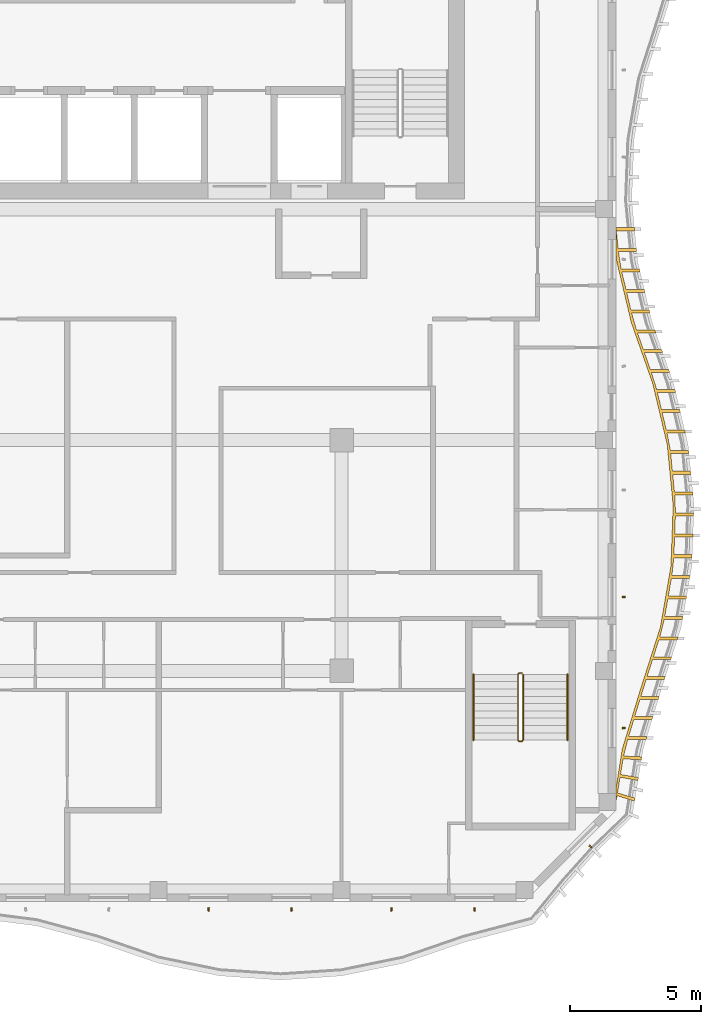
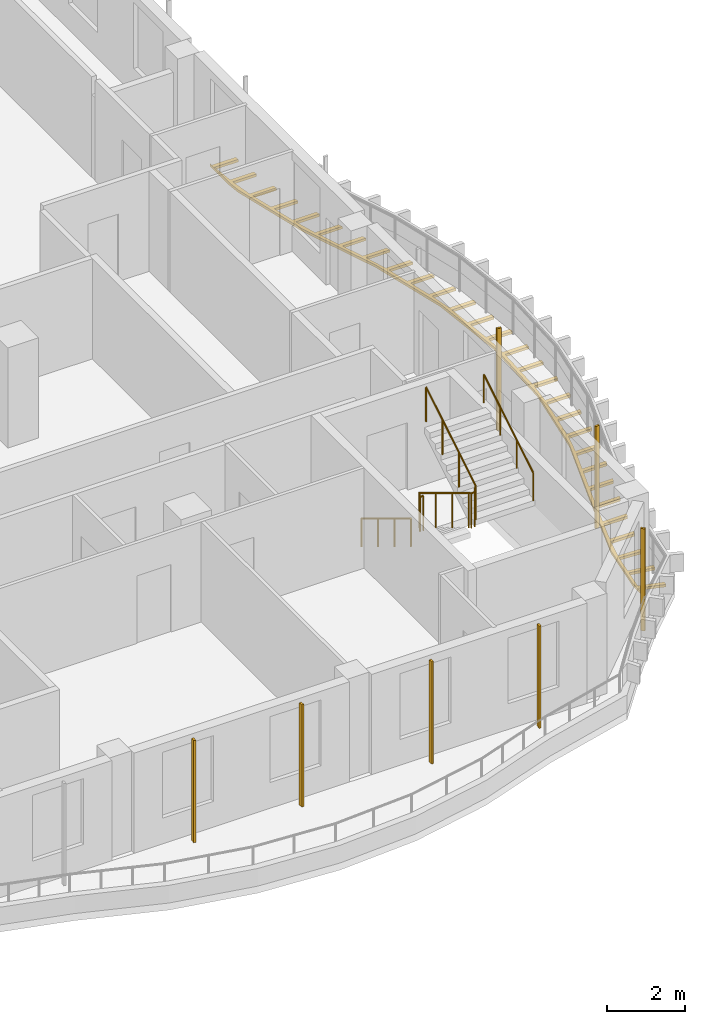
# One storey, part 15 of 18: 8 shading devices, 3 railings.
"""IFC4 building model written with IfcOpenShell, lengths in metres."""

from ifc_helpers import new_model, si_unit, direction, frame, origin, origin_2d, place, context, subcontext, project, spatial, polyline, rectangle, circle, outline, extrude, source, transform, mapped, material, layer, layer_set, material_profile, profile_set, type_object, element, save


model = new_model("IFC4")

# Units and contexts
model_context = context("Model", 3, precision=1e-05, world=origin(), true_north=direction((0.0, 1.0)))
body_context = subcontext(model_context, "Body", "Model", "MODEL_VIEW")
ifc_project = project(units=[si_unit("LENGTHUNIT", "METRE"), si_unit("AREAUNIT", "SQUARE_METRE"), si_unit("VOLUMEUNIT", "CUBIC_METRE"), si_unit("PLANEANGLEUNIT", "RADIAN"), si_unit("MASSUNIT", "GRAM", prefix="KILO")], contexts=[model_context])

# Site, building, storey
site_placement = place(None, origin())
site = spatial("IfcSite", under=ifc_project, at=site_placement, CompositionType="ELEMENT")
building_placement = place(site_placement, origin())
building = spatial("IfcBuilding", under=site, at=building_placement, Name="Kilnfold Tower and Market Hall", CompositionType="ELEMENT")
storey_placement = place(building_placement, frame((0.0, 0.0, 270.39990234375)))
storey = spatial("IfcBuildingStorey", under=building, at=storey_placement, Name="L66", CompositionType="ELEMENT", Elevation=270.39990234375)

# Railings
ifc_material_1 = material(Name="Stainless steel 316", Category="steel")
railing_type_1 = type_object("IfcRailingType", Name="CORE STAIR GUARD 1100", PredefinedType="GUARDRAIL", material=ifc_material_1)
railing_1_placement = place(storey_placement, frame((19.89990234375, -9.75, 0.0)))
element("IfcRailing", 1, at=railing_1_placement, inside=storey, type_object=railing_type_1, Name="L66 ST4 stair guard 1", PredefinedType="GUARDRAIL", context=body_context, shape_type="SweptSolid", body=[
    extrude(circle(Radius=0.02392578125, at=origin_2d()), frame((0.0, 0.0, 1.076171875), z_axis=(-1.0, 0.0, 0.0), x_axis=(0.0, -1.0, 0.0)), (0.0, 0.0, 1.0), 0.099853515625),
    extrude(circle(Radius=0.02392578125, at=origin_2d()), frame((-0.099853515625, 0.0, 1.076171875), z_axis=(-0.271562723297, -0.271562723297, 0.923313259209), x_axis=(0.707106781187, -0.707106781187, 0.0)), (0.0, 0.0, 1.0), 0.184326171875),
    extrude(circle(Radius=0.02392578125, at=origin_2d()), frame((-0.14990234375, -0.050048828125, 1.24609375), z_axis=(0.0, -0.85478489116, 0.518982456201), x_axis=(1.0, 0.0, 0.0)), (0.0, 0.0, 1.0), 2.9482421875),
    extrude(circle(Radius=0.02392578125, at=origin_2d()), frame((-0.14990234375, -2.570068359375, 2.7763671875), z_axis=(0.707106781187, -0.707106781187, 0.0), x_axis=(0.707106781187, 0.707106781187, 0.0)), (0.0, 0.0, 1.0), 0.07080078125),
    extrude(circle(Radius=0.02392578125, at=origin_2d()), frame((-0.099853515625, -2.6201171875, 2.7763671875), z_axis=(1.0, 0.0, 0.0), x_axis=(0.0, 1.0, 0.0)), (0.0, 0.0, 1.0), 0.099853515625),
    extrude(circle(Radius=0.02392578125, at=origin_2d()), frame((0.0, -2.6201171875, 2.7763671875), z_axis=(0.271895245746, 0.271895245746, 0.923117517265), x_axis=(-0.707106781187, 0.707106781187, 0.0)), (0.0, 0.0, 1.0), 0.18408203125),
    extrude(circle(Radius=0.02392578125, at=origin_2d()), frame((0.050048828125, -2.570068359375, 2.9462890625), z_axis=(0.0, 0.85478489116, 0.518982456201), x_axis=(-1.0, 0.0, 0.0)), (0.0, 0.0, 1.0), 2.9482421875),
    extrude(circle(Radius=0.02099609375, at=origin_2d()), origin(), (0.0, 0.0, 1.0), 1.052001953125),
    extrude(circle(Radius=0.02099609375, at=origin_2d()), frame((-0.099853515625, 0.0, 0.0)), (0.0, 0.0, 1.0), 1.052001953125),
    extrude(circle(Radius=0.02099609375, at=origin_2d()), frame((-0.14990234375, -0.050048828125, 0.170166015625)), (0.0, 0.0, 1.0), 1.052001953125),
    extrude(circle(Radius=0.02099609375, at=origin_2d()), frame((-0.14990234375, -0.89013671875, 0.68017578125)), (0.0, 0.0, 1.0), 1.052001953125),
    extrude(circle(Radius=0.02099609375, at=origin_2d()), frame((-0.14990234375, -1.72998046875, 1.190185546875)), (0.0, 0.0, 1.0), 1.052001953125),
    extrude(circle(Radius=0.02099609375, at=origin_2d()), frame((-0.14990234375, -2.570068359375, 1.7001953125)), (0.0, 0.0, 1.0), 1.052001953125),
    extrude(circle(Radius=0.02099609375, at=origin_2d()), frame((-0.099853515625, -2.6201171875, 1.7001953125)), (0.0, 0.0, 1.0), 1.052001953125),
    extrude(circle(Radius=0.02099609375, at=origin_2d()), frame((0.0, -2.6201171875, 1.7001953125)), (0.0, 0.0, 1.0), 1.052001953125),
    extrude(circle(Radius=0.02099609375, at=origin_2d()), frame((0.050048828125, -2.570068359375, 1.8701171875)), (0.0, 0.0, 1.0), 1.052001953125),
    extrude(circle(Radius=0.02099609375, at=origin_2d()), frame((0.050048828125, -1.72998046875, 2.380126953125)), (0.0, 0.0, 1.0), 1.052001953125),
    extrude(circle(Radius=0.02099609375, at=origin_2d()), frame((0.050048828125, -0.89013671875, 2.89013671875)), (0.0, 0.0, 1.0), 1.052001953125),
    extrude(circle(Radius=0.02099609375, at=origin_2d()), frame((0.050048828125, -0.050048828125, 3.400146484375)), (0.0, 0.0, 1.0), 1.052001953125),
])
ifc_material_2 = material(Name="Stainless steel 316", Category="steel")
railing_type_2 = type_object("IfcRailingType", Name="CORE STAIR HANDRAIL 900", PredefinedType="HANDRAIL", material=ifc_material_2)
railing_2_placement = place(storey_placement, frame((18.050048828125, -9.800048828125, 0.170166015625)))
element("IfcRailing", 2, at=railing_2_placement, inside=storey, type_object=railing_type_2, Name="L66 ST4 stair handrail 1", PredefinedType="HANDRAIL", context=body_context, shape_type="SweptSolid", body=[
    extrude(circle(Radius=0.02392578125, at=origin_2d()), frame((0.0, 0.0, 0.8759765625), z_axis=(0.0, -0.85478489116, 0.518982456201), x_axis=(1.0, 0.0, 0.0)), (0.0, 0.0, 1.0), 2.9482421875),
    extrude(circle(Radius=0.02099609375, at=origin_2d()), origin(), (0.0, 0.0, 1.0), 0.851806640625),
    extrude(circle(Radius=0.02099609375, at=origin_2d()), frame((0.0, -0.840087890625, 0.510009765625)), (0.0, 0.0, 1.0), 0.851806640625),
    extrude(circle(Radius=0.02099609375, at=origin_2d()), frame((0.0, -1.679931640625, 1.02001953125)), (0.0, 0.0, 1.0), 0.851806640625),
    extrude(circle(Radius=0.02099609375, at=origin_2d()), frame((0.0, -2.52001953125, 1.530029296875)), (0.0, 0.0, 1.0), 0.851806640625),
])
railing_3_placement = place(storey_placement, frame((21.64990234375, -12.320068359375, 1.8701171875)))
element("IfcRailing", 3, at=railing_3_placement, inside=storey, type_object=railing_type_2, Name="L66 ST4 stair handrail 2", PredefinedType="HANDRAIL", context=body_context, shape_type="SweptSolid", body=[
    extrude(circle(Radius=0.02392578125, at=origin_2d()), frame((0.0, 0.0, 0.8759765625), z_axis=(0.0, 0.85478489116, 0.518982456201), x_axis=(-1.0, 0.0, 0.0)), (0.0, 0.0, 1.0), 2.9482421875),
    extrude(circle(Radius=0.02099609375, at=origin_2d()), origin(), (0.0, 0.0, 1.0), 0.851806640625),
    extrude(circle(Radius=0.02099609375, at=origin_2d()), frame((0.0, 0.840087890625, 0.510009765625)), (0.0, 0.0, 1.0), 0.851806640625),
    extrude(circle(Radius=0.02099609375, at=origin_2d()), frame((0.0, 1.679931640625, 1.02001953125)), (0.0, 0.0, 1.0), 0.851806640625),
    extrude(circle(Radius=0.02099609375, at=origin_2d()), frame((0.0, 2.52001953125, 1.530029296875)), (0.0, 0.0, 1.0), 0.851806640625),
])

# Shading devices
ifc_material_3 = material(Name="Terracotta", Category="masonry")
ifc_material_profile = material_profile(ifc_material_3, rectangle(XDim=0.06005859375, YDim=0.1201171875, at=origin_2d()), Name="BAG 60x120")
ifc_profile_set = profile_set([ifc_material_profile], Name="Terracotta")
shading_device_type_1 = type_object("IfcShadingDeviceType", Name="BAGUETTE", PredefinedType="USERDEFINED", material=ifc_profile_set)
shared_shape_1 = source(origin(), body_context, "Body", "SweptSolid", [
    extrude(rectangle(XDim=0.06005859375, YDim=0.1201171875, at=origin_2d()), origin(), (0.0, 0.0, 1.0), 3.18017578125),
])
for number, where, z_axis, x_axis, name in (
    (4, (7.91259765625, -18.800048828125, 0.0), (0.0, 0.0, 1.0), (0.996669344819, -0.081548863252, 0.0), "Terracotta baguette L66 S"),
    (5, (11.08740234375, -18.800048828125, 0.0), (0.0, 0.0, 1.0), (0.994983719701, 0.100036980811, 0.0), "Terracotta baguette L66 S"),
    (6, (14.91259765625, -18.800048828125, 0.0), (0.0, 0.0, 1.0), (0.996669344819, 0.081548863252, 0.0), "Terracotta baguette L66 S"),
    (7, (18.08740234375, -18.800048828125, 0.0), (0.0, 0.0, 1.0), (0.994983719701, -0.100036980811, 0.0), "Terracotta baguette L66 S"),
    (8, (22.52978515625, -16.394287109375, 0.0), (0.0, 0.0, 1.0), (0.708267147249, 0.705944507824, 0.0), "Terracotta baguette L66 SE"),
    (9, (23.800048828125, -11.856689453125, 0.0), (0.0, 0.0, 1.0), (-0.116643002497, 0.993173907213, 0.0), "Terracotta baguette L66 E"),
    (10, (23.800048828125, -6.841796875, 0.0), (0.0, 0.0, 1.0), (0.132479556578, 0.991185737937, 0.0), "Terracotta baguette L66 E"),
):
    element("IfcShadingDevice", number, at=place(storey_placement, frame(where, z_axis=z_axis, x_axis=x_axis)), inside=storey, type_object=shading_device_type_1, Name=name, ObjectType="BAGUETTE", PredefinedType="USERDEFINED", context=body_context, shape_type="MappedRepresentation", body=[
        mapped(shared_shape_1, transform((0.0, 0.0, 0.0))),
    ])
ifc_material_4 = material(Name="Bronze anodised aluminium", Category="aluminium")
ifc_layer = layer(ifc_material_4, 0.080078125)
ifc_layer_set = layer_set([ifc_layer], Name="Bronze anodised aluminium")
shading_device_type_2 = type_object("IfcShadingDeviceType", Name="BRONZE SLAT SOFFIT 80", PredefinedType="USERDEFINED", material=ifc_layer_set)
shared_shape_2 = source(origin(), body_context, "Body", "SweptSolid", [
    extrude(outline(polyline([(23.7421875, -12.666748046875), (24.45361328125, -10.333251953125), (25.200927734375, -8.0), (25.606201171875, -5.666748046875), (25.69189453125, -3.333251953125), (25.463623046875, -1.0), (24.90771484375, 1.333251953125), (24.088134765625, 3.666748046875), (23.5341796875, 6.0), (23.5, 6.352294921875), (23.5, 7.3818359375), (23.5087890625, 7.29150390625), (24.208740234375, 7.29150390625), (24.220458984375, 7.172119140625), (23.5205078125, 7.172119140625), (23.586181640625, 6.4951171875), (24.2861328125, 6.4951171875), (24.297607421875, 6.375732421875), (23.59765625, 6.375732421875), (23.7041015625, 5.705810546875), (24.404052734375, 5.705810546875), (24.431884765625, 5.589111328125), (23.731689453125, 5.589111328125), (23.888916015625, 4.92724609375), (24.5888671875, 4.92724609375), (24.61669921875, 4.810546875), (23.91650390625, 4.810546875), (24.073486328125, 4.14892578125), (24.773681640625, 4.14892578125), (24.80126953125, 4.0322265625), (24.101318359375, 4.0322265625), (24.2890625, 3.379638671875), (24.989013671875, 3.379638671875), (25.02880859375, 3.266357421875), (24.32861328125, 3.266357421875), (24.55419921875, 2.624755859375), (25.254150390625, 2.624755859375), (25.2939453125, 2.51171875), (24.593994140625, 2.51171875), (24.8193359375, 1.8701171875), (25.519287109375, 1.8701171875), (25.55908203125, 1.7568359375), (24.85888671875, 1.7568359375), (25.061279296875, 1.1083984375), (25.761474609375, 1.1083984375), (25.789306640625, 0.99169921875), (25.089111328125, 0.99169921875), (25.24658203125, 0.330078125), (25.94677734375, 0.330078125), (25.974609375, 0.21337890625), (25.2744140625, 0.21337890625), (25.43212890625, -0.447998046875), (26.132080078125, -0.447998046875), (26.159912109375, -0.564697265625), (25.4599609375, -0.564697265625), (25.586181640625, -1.2314453125), (26.286376953125, -1.2314453125), (26.2978515625, -1.350830078125), (25.597900390625, -1.350830078125), (25.664306640625, -2.027587890625), (26.3642578125, -2.027587890625), (26.3759765625, -2.147216796875), (25.67578125, -2.147216796875), (25.7421875, -2.82373046875), (26.442138671875, -2.82373046875), (26.453857421875, -2.943359375), (25.75390625, -2.943359375), (25.781494140625, -3.62109375), (26.4814453125, -3.62109375), (26.47705078125, -3.7412109375), (25.777099609375, -3.7412109375), (25.751953125, -4.420654296875), (26.451904296875, -4.420654296875), (26.447509765625, -4.54052734375), (25.74755859375, -4.54052734375), (25.722412109375, -5.22021484375), (26.422607421875, -5.22021484375), (26.418212890625, -5.340087890625), (25.718017578125, -5.340087890625), (25.645751953125, -6.0146484375), (26.345703125, -6.0146484375), (26.3251953125, -6.1328125), (25.625, -6.1328125), (25.5087890625, -6.802734375), (26.208740234375, -6.802734375), (26.20751953125, -6.810791015625), (26.188232421875, -6.9208984375), (25.48828125, -6.9208984375), (25.371826171875, -7.591064453125), (26.072021484375, -7.591064453125), (26.051513671875, -7.709228515625), (25.351318359375, -7.709228515625), (25.18359375, -8.36669921875), (25.883544921875, -8.36669921875), (25.846923828125, -8.480712890625), (25.14697265625, -8.480712890625), (24.939453125, -9.12841796875), (25.639404296875, -9.12841796875), (25.602783203125, -9.24267578125), (24.90283203125, -9.24267578125), (24.695556640625, -9.890380859375), (25.3955078125, -9.890380859375), (25.35888671875, -10.004638671875), (24.658935546875, -10.004638671875), (24.4560546875, -10.653564453125), (25.156005859375, -10.653564453125), (25.12109375, -10.768310546875), (24.4208984375, -10.768310546875), (24.22265625, -11.418701171875), (24.922607421875, -11.418701171875), (24.8876953125, -11.53369140625), (24.187744140625, -11.53369140625), (23.989501953125, -12.18408203125), (24.689453125, -12.18408203125), (24.654296875, -12.298828125), (23.954345703125, -12.298828125), (23.79541015625, -12.927978515625), (24.49462890625, -12.958251953125), (24.475341796875, -13.07666015625), (23.776611328125, -13.033935546875), (23.67529296875, -13.6337890625), (24.36572265625, -13.747802734375), (24.346435546875, -13.8662109375), (23.657958984375, -13.73974609375), (23.565185546875, -14.3408203125), (24.237060546875, -14.537353515625), (24.2177734375, -14.65576171875), (23.549560546875, -14.447265625), (23.5, -14.68017578125), (23.5, -14.1962890625), (23.7421875, -12.666748046875)])), origin(), (0.0, 0.0, 1.0), 0.079833984375),
])
shading_device_placement = place(storey_placement, frame((0.0, 0.0, -0.2998046875)))
element("IfcShadingDevice", 11, at=shading_device_placement, inside=storey, type_object=shading_device_type_2, Name="Balcony soffit slats L66", ObjectType="SLAT", PredefinedType="USERDEFINED", context=body_context, shape_type="MappedRepresentation", body=[
    mapped(shared_shape_2, transform((0.0, 0.0, 0.0))),
])

save(model, "model.ifc")
